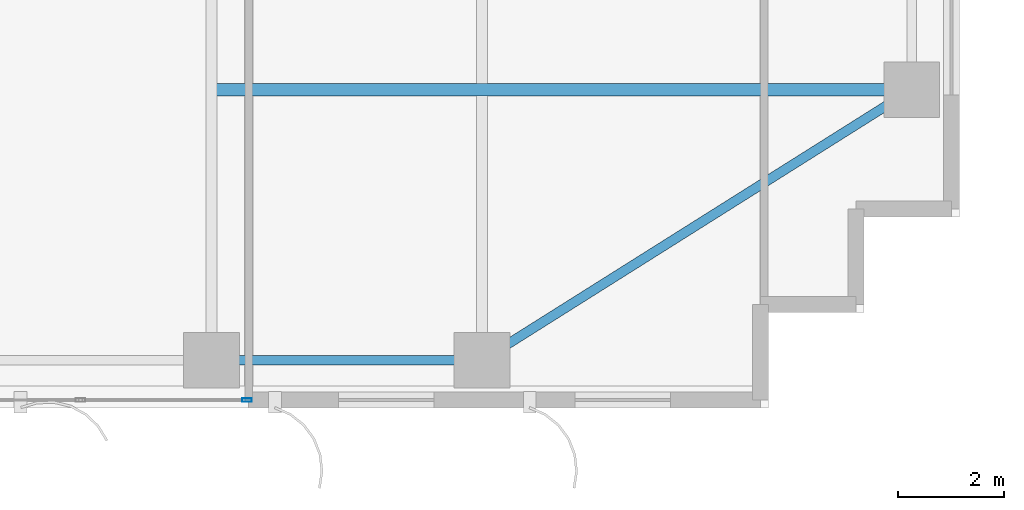
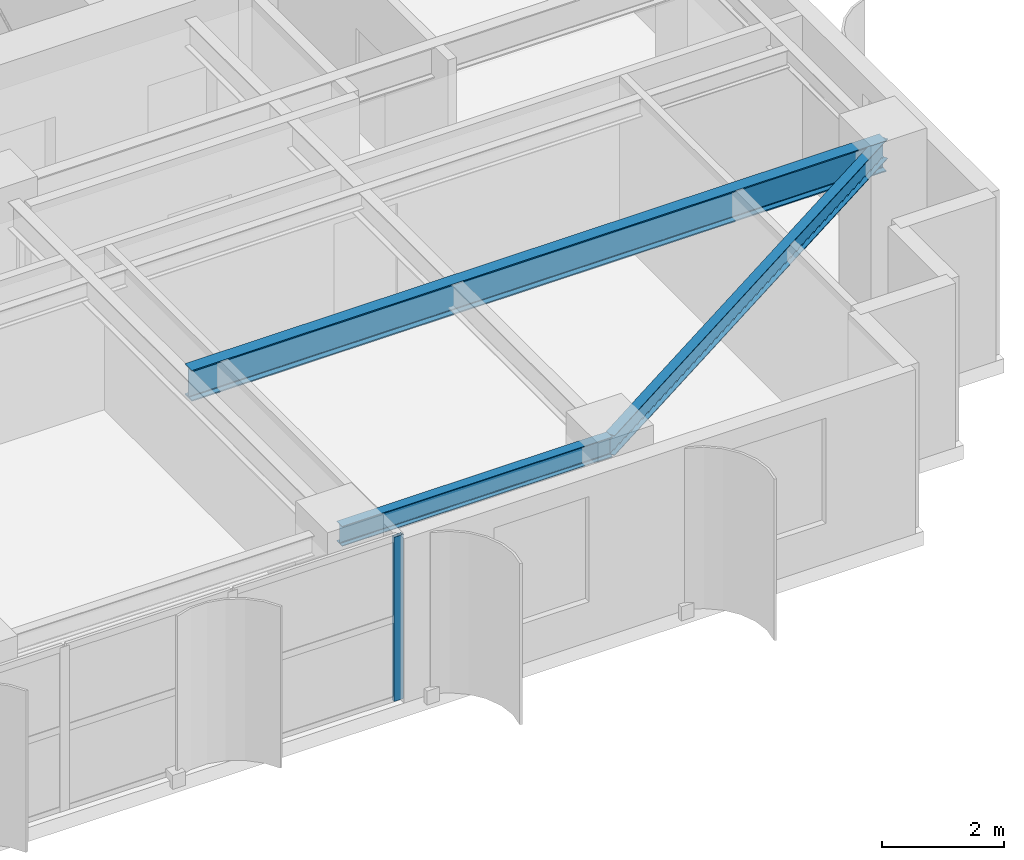
# One storey, part 9 of 28: 3 beams, 1 member, 1 element without a shape of its own.
"""IFC4 building model written with IfcOpenShell, lengths in metres."""

from ifc_helpers import new_model, si_unit, direction, frame, origin, origin_2d, place, context, subcontext, project, spatial, hollow_rectangle, i_section, extrude, source, transform, mapped, material, layer, layer_set, material_profile, profile_set, type_object, element, aggregate, save


model = new_model("IFC4")

# Units and contexts
model_context = context("Model", 3, precision=1e-05, world=origin(), true_north=direction((0.0, 1.0)))
body_context = subcontext(model_context, "Body", "Model", "MODEL_VIEW")
ifc_project = project(units=[si_unit("LENGTHUNIT", "METRE"), si_unit("AREAUNIT", "SQUARE_METRE"), si_unit("VOLUMEUNIT", "CUBIC_METRE"), si_unit("PLANEANGLEUNIT", "RADIAN"), si_unit("MASSUNIT", "GRAM", prefix="KILO")], contexts=[model_context])

# Site, building, storey
site_placement = place(None, origin())
site = spatial("IfcSite", under=ifc_project, at=site_placement, CompositionType="ELEMENT")
building_placement = place(site_placement, origin())
building = spatial("IfcBuilding", under=site, at=building_placement, Name="Khoralis Quay Care Tower", CompositionType="ELEMENT")
storey_placement = place(building_placement, frame((0.0, 0.0, 144.89990234375)))
storey = spatial("IfcBuildingStorey", under=building, at=storey_placement, Name="L38", CompositionType="ELEMENT", Elevation=144.89990234375)

# Beams
ifc_material_1 = material(Name="Steel S355", Category="steel")
ifc_material_profile_1 = material_profile(ifc_material_1, i_section(OverallWidth=0.179931640625, OverallDepth=0.39990234375, WebThickness=0.008544921875, FlangeThickness=0.013427734375, FilletRadius=0.02099609375, at=origin_2d()), Name="Steel S355")
ifc_profile_set_1 = profile_set([ifc_material_profile_1], Name="Steel S355")
beam_type_1 = type_object("IfcBeamType", Name="BM-IPE400", PredefinedType="SPANDREL", material=ifc_profile_set_1)
shared_shape_1 = source(origin(), body_context, "Body", "SweptSolid", [
    extrude(i_section(OverallWidth=0.179931640625, OverallDepth=0.39990234375, WebThickness=0.008544921875, FlangeThickness=0.013427734375, FilletRadius=0.02099609375, at=origin_2d()), origin(), (0.0, 0.0, 1.0), 5.10009765625),
])
beam_1_placement = place(storey_placement, frame((30.89990234375, 0.89990234375, 3.080078125), z_axis=(1.0, 0.0, 0.0), x_axis=(0.0, 1.0, 0.0)))
element("IfcBeam", 1, at=beam_1_placement, inside=storey, type_object=beam_type_1, Name="BM-TSP-L38-05", PredefinedType="SPANDREL", context=body_context, shape_type="MappedRepresentation", body=[
    mapped(shared_shape_1, transform((0.0, 0.0, 0.0), scale=1.0)),
])
shared_shape_2 = source(origin(), body_context, "Body", "SweptSolid", [
    extrude(i_section(OverallWidth=0.179931640625, OverallDepth=0.39990234375, WebThickness=0.008544921875, FlangeThickness=0.013427734375, FilletRadius=0.02099609375, at=origin_2d()), origin(), (0.0, 0.0, 1.0), 9.572021484375),
])
beam_2_placement = place(storey_placement, frame((36.0, 0.89990234375, 3.080078125), z_axis=(0.846231136359, 0.532815975602, 0.0), x_axis=(-0.532815975602, 0.846231136359, 0.0)))
element("IfcBeam", 2, at=beam_2_placement, inside=storey, type_object=beam_type_1, Name="BM-TCR-L38-22", PredefinedType="SPANDREL", context=body_context, shape_type="MappedRepresentation", body=[
    mapped(shared_shape_2, transform((0.0, 0.0, 0.0), scale=1.0)),
])
ifc_material_profile_2 = material_profile(ifc_material_1, i_section(OverallWidth=0.22998046875, OverallDepth=0.616943359375, WebThickness=0.01318359375, FlangeThickness=0.022216796875, FilletRadius=0.01806640625, at=origin_2d()), Name="Steel S355")
ifc_profile_set_2 = profile_set([ifc_material_profile_2], Name="Steel S355")
beam_type_2 = type_object("IfcBeamType", Name="BM-W610X140", PredefinedType="BEAM", material=ifc_profile_set_2)
shared_shape_3 = source(origin(), body_context, "Body", "SweptSolid", [
    extrude(i_section(OverallWidth=0.22998046875, OverallDepth=0.616943359375, WebThickness=0.01318359375, FlangeThickness=0.022216796875, FilletRadius=0.01806640625, at=origin_2d()), origin(), (0.0, 0.0, 1.0), 13.106201171875),
])
beam_3_placement = place(storey_placement, frame((30.993896484375, 6.0, 2.9716796875), z_axis=(1.0, 0.0, 0.0), x_axis=(0.0, 1.0, 0.0)))
element("IfcBeam", 3, at=beam_3_placement, inside=storey, type_object=beam_type_2, Name="BM-TGXE-L38-60", PredefinedType="BEAM", context=body_context, shape_type="MappedRepresentation", body=[
    mapped(shared_shape_3, transform((0.0, 0.0, 0.0), scale=1.0)),
])

# Curtain wall, member
ifc_material_2 = material(Name="Pale anodised aluminium", Category="aluminium")
ifc_layer = layer(ifc_material_2, 0.169921875)
ifc_layer_set = layer_set([ifc_layer], Name="Pale anodised aluminium")
curtain_wall_type = type_object("IfcCurtainWallType", Name="CW-SYS-Z2", PredefinedType="NOTDEFINED", material=ifc_layer_set)
curtain_wall_placement = place(storey_placement, origin())
curtain_wall = element("IfcCurtainWall", 4, at=curtain_wall_placement, inside=storey, type_object=curtain_wall_type, Name="L38 Unitised Curtain Wall CW-L38-P1-E0", PredefinedType="NOTDEFINED")
ifc_material_profile_3 = material_profile(ifc_material_2, hollow_rectangle(XDim=0.06494140625, YDim=0.179931640625, WallThickness=0.00390625, at=origin_2d()), Name="Pale anodised aluminium")
ifc_profile_set_3 = profile_set([ifc_material_profile_3], Name="Pale anodised aluminium")
member_type = type_object("IfcMemberType", Name="CW-MUL-180", PredefinedType="MULLION", material=ifc_profile_set_3)
shared_shape_4 = source(origin(), body_context, "Body", "SweptSolid", [
    extrude(hollow_rectangle(XDim=0.06494140625, YDim=0.179931640625, WallThickness=0.00390625, at=origin_2d()), origin(), (0.0, 0.0, 1.0), 3.280029296875),
])
member_placement = place(storey_placement, frame((31.570068359375, 0.14990234375, 0.0), z_axis=(0.0, 0.0, 1.0), x_axis=(0.0, 1.0, 0.0)))
member = element("IfcMember", 5, at=member_placement, type_object=member_type, Name="CW2 mullion 7", PredefinedType="MULLION", context=body_context, shape_type="MappedRepresentation", body=[
    mapped(shared_shape_4, transform((0.0, 0.0, 0.0), scale=1.0)),
])
aggregate(curtain_wall, [member])

save(model, "model.ifc")
